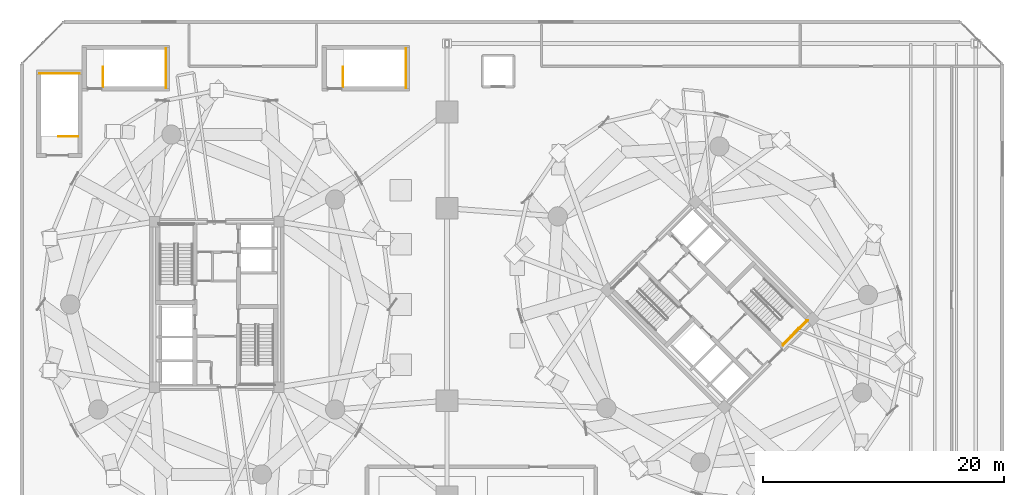
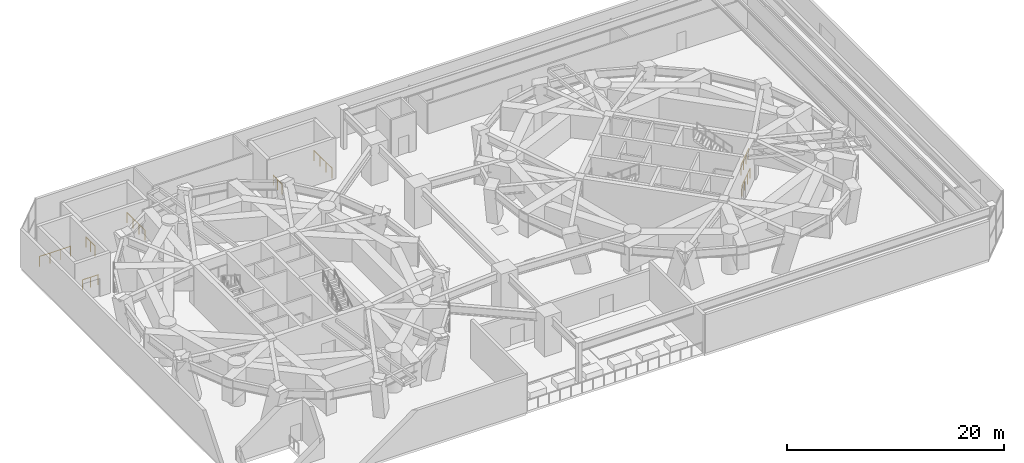
# One storey, part 25 of 25: 8 railings.
"""IFC4 building model written with IfcOpenShell, lengths in metres."""

import ifcopenshell
import ifcopenshell.guid

model = None  # the IFC model being written
_history = None  # IfcOwnerHistory: only IFC2X3 demands one
_inside = {}  # id of a spatial element -> (the spatial element, [elements in it])
_under = {}  # id of a project, library or spatial element -> (it, [spatial elements below it])
_declared = {}  # id of a project -> (the project, [libraries it declares])
_typed = {}  # id of a type object -> (the type object, [elements of that type])
_made_of = {}  # id of a material, layer set ... -> (it, [elements and type objects made of it])


def new_model(schema):
    """Start an empty IFC model of exactly this schema.

    Asked for "IFC4X3", IfcOpenShell would pick the latest addendum, in which some entities
    have other attributes; the version numbers below select the first issue.
    IFC2X3 requires an IfcOwnerHistory on every rooted entity: one is made here for all.
    """
    global model, _history
    if schema == "IFC4X3":
        model = ifcopenshell.file(schema_version=(4, 3, 0, 0))
    else:
        model = ifcopenshell.file(schema=schema)
    _inside.clear()
    _under.clear()
    _declared.clear()
    _typed.clear()
    _made_of.clear()
    _history = None
    if model.schema == "IFC2X3":
        org = make("IfcOrganization", Name="unknown")
        user = make(
            "IfcPersonAndOrganization",
            ThePerson=make("IfcPerson", FamilyName="unknown"),
            TheOrganization=org,
        )
        app = make(
            "IfcApplication",
            ApplicationDeveloper=org,
            Version="unknown",
            ApplicationFullName="unknown",
            ApplicationIdentifier="unknown",
        )
        _history = make(
            "IfcOwnerHistory",
            OwningUser=user,
            OwningApplication=app,
            ChangeAction="ADDED",
            CreationDate=0,
        )
    return model


def make(cls, **values):
    """One entity of the class cls with the attributes given. An attribute that is None is left unset."""
    return model.create_entity(
        cls, **{name: value for name, value in values.items() if value is not None}
    )


def rooted(cls, **values):
    """An entity with a GlobalId (a new one), such as an element, a storey or a relation."""
    return make(cls, GlobalId=ifcopenshell.guid.new(), OwnerHistory=_history, **values)


def si_unit(unit_type, name, prefix=None):
    """IfcSIUnit, for example si_unit("LENGTHUNIT", "METRE", prefix="MILLI")."""
    return make("IfcSIUnit", UnitType=unit_type, Prefix=prefix, Name=name)


def assignment(units):
    """IfcUnitAssignment: the units of a project."""
    return None if units is None else make("IfcUnitAssignment", Units=units)


def point(xyz):
    """IfcCartesianPoint."""
    return None if xyz is None else make("IfcCartesianPoint", Coordinates=xyz)


def direction(xyz):
    """IfcDirection."""
    return None if xyz is None else make("IfcDirection", DirectionRatios=xyz)


def frame(location, z_axis=None, x_axis=None):
    """IfcAxis2Placement3D, a coordinate frame: its origin and axes. An axis left out is left unset."""
    return make(
        "IfcAxis2Placement3D",
        Location=point(location),
        Axis=direction(z_axis),
        RefDirection=direction(x_axis),
    )


def frame_2d(location, x_axis=None):
    """IfcAxis2Placement2D, a coordinate frame in the plane: its origin and x axis."""
    return make(
        "IfcAxis2Placement2D", Location=point(location), RefDirection=direction(x_axis)
    )


def origin():
    """The frame at (0, 0, 0) with its axes left unset."""
    return frame((0.0, 0.0, 0.0))


def origin_2d():
    """The frame at (0, 0) in the plane with its x axis left unset."""
    return frame_2d((0.0, 0.0))


def place(relative_to, where):
    """IfcLocalPlacement: puts the frame where relative to a parent placement (None: the world)."""
    return make(
        "IfcLocalPlacement", PlacementRelTo=relative_to, RelativePlacement=where
    )


def context(
    kind, dimensions, precision=None, world=None, true_north=None, identifier=None
):
    """IfcGeometricRepresentationContext, for example the 3D "Model" context."""
    return make(
        "IfcGeometricRepresentationContext",
        ContextIdentifier=identifier,
        ContextType=kind,
        CoordinateSpaceDimension=dimensions,
        Precision=precision,
        WorldCoordinateSystem=world,
        TrueNorth=true_north,
    )


def subcontext(parent, identifier, kind, view, scale=None):
    """IfcGeometricRepresentationSubContext, for example "Body" below "Model"."""
    return make(
        "IfcGeometricRepresentationSubContext",
        ContextIdentifier=identifier,
        ContextType=kind,
        ParentContext=parent,
        TargetScale=scale,
        TargetView=view,
    )


def project(units=None, contexts=None):
    """IfcProject with its units and contexts."""
    return rooted(
        "IfcProject",
        Name="project",
        RepresentationContexts=contexts,
        UnitsInContext=assignment(units),
    )


def spatial(cls, under=None, at=None, **own):
    """A site, building, storey or space (cls), placed at a placement, below another one or the project."""
    s = rooted(cls, ObjectPlacement=at, **own)
    if under is not None:
        _under.setdefault(under.id(), (under, []))[1].append(s)
    return s


def profile(cls, at=None, kind="AREA", **sizes):
    """A parametric profile (cls). Its sizes go by their IFC names, for example OverallWidth=200.0."""
    return make(cls, ProfileType=kind, Position=at, **sizes)


def circle(**sizes):
    """IfcCircleProfileDef."""
    return profile("IfcCircleProfileDef", **sizes)


def extrude(swept, where, along, depth):
    """IfcExtrudedAreaSolid: the profile swept, set in the frame where, extruded along a direction by depth."""
    return make(
        "IfcExtrudedAreaSolid",
        SweptArea=swept,
        Position=where,
        ExtrudedDirection=direction(along),
        Depth=depth,
    )


def shape(context_of_items, identifier, shape_type, items):
    """IfcShapeRepresentation: the items that make up one representation, for example the "Body"."""
    return make(
        "IfcShapeRepresentation",
        ContextOfItems=context_of_items,
        RepresentationIdentifier=identifier,
        RepresentationType=shape_type,
        Items=items,
    )


def material(Name=None, Category=None):
    """IfcMaterial."""
    return make("IfcMaterial", Name=Name, Category=Category)


def made_of(thing, what):
    """Note that an element or type object is made of a material, layer set ...; save() writes the relation."""
    if what is not None:
        _made_of.setdefault(what.id(), (what, []))[1].append(thing)
    return thing


def type_object(cls, material=None, **own):
    """A type object (cls), such as IfcWallType, which elements share."""
    return made_of(rooted(cls, **own), material)


def element(
    cls,
    number,
    at=None,
    inside=None,
    cuts=None,
    type_object=None,
    material=None,
    context=None,
    identifier="Body",
    shape_type=None,
    held_by="IfcProductDefinitionShape",
    body=None,
    shapes=None,
    **own,
):
    """One element of the class cls, such as IfcWall. Its Tag is "e" and its number.

    at: its placement. inside: the storey or other place that contains it. cuts: it is an
    opening in that element (IfcRelVoidsElement). A single representation is given by context,
    identifier, shape_type and body (its items); several are given by shapes. held_by: the class
    of the entity that holds the representations. save() writes the other relations.
    """
    e = rooted(cls, Tag="e%d" % number, ObjectPlacement=at, **own)
    if body is not None:
        shapes = [shape(context, identifier, shape_type, body)]
    if shapes is not None:
        e.Representation = make(held_by, Representations=shapes)
    if inside is not None:
        _inside.setdefault(inside.id(), (inside, []))[1].append(e)
    if cuts is not None:
        rooted(
            "IfcRelVoidsElement", RelatingBuildingElement=cuts, RelatedOpeningElement=e
        )
    if type_object is not None:
        _typed.setdefault(type_object.id(), (type_object, []))[1].append(e)
    return made_of(e, material)


def aggregate(whole, parts):
    """IfcRelAggregates: a whole, such as a stair, and the parts it consists of."""
    return rooted("IfcRelAggregates", RelatingObject=whole, RelatedObjects=parts)


def save(model, path):
    """Write the relations noted so far, then the file.

    IfcRelAggregates (storeys below a building ...), IfcRelContainedInSpatialStructure (elements
    in a storey), IfcRelDefinesByType, IfcRelAssociatesMaterial and IfcRelDeclares: one each for
    every whole, place, type object, material and project.
    """
    for whole, parts in _under.values():
        aggregate(whole, parts)
    for where, things in _inside.values():
        rooted(
            "IfcRelContainedInSpatialStructure",
            RelatedElements=things,
            RelatingStructure=where,
        )
    for kind, things in _typed.values():
        rooted("IfcRelDefinesByType", RelatedObjects=things, RelatingType=kind)
    for what, things in _made_of.values():
        rooted("IfcRelAssociatesMaterial", RelatedObjects=things, RelatingMaterial=what)
    for by, libraries in _declared.values():
        rooted("IfcRelDeclares", RelatingContext=by, RelatedDefinitions=libraries)
    model.write(path)


model = new_model("IFC4")

# Units and contexts
model_context = context("Model", 3, precision=1e-05, world=origin(), true_north=direction((0.0, 1.0)))
body_context = subcontext(model_context, "Body", "Model", "MODEL_VIEW")
ifc_project = project(units=[si_unit("LENGTHUNIT", "METRE"), si_unit("AREAUNIT", "SQUARE_METRE"), si_unit("VOLUMEUNIT", "CUBIC_METRE"), si_unit("PLANEANGLEUNIT", "RADIAN"), si_unit("MASSUNIT", "GRAM", prefix="KILO")], contexts=[model_context])

# Site, building, storey
site_placement = place(None, origin())
site = spatial("IfcSite", under=ifc_project, at=site_placement, CompositionType="ELEMENT")
building_placement = place(site_placement, origin())
building = spatial("IfcBuilding", under=site, at=building_placement, Name="Cununo Teusaquillo Station Towers", CompositionType="ELEMENT")
storey_placement = place(building_placement, frame((0.0, 0.0, 17.39990234375)))
storey = spatial("IfcBuildingStorey", under=building, at=storey_placement, Name="L04", CompositionType="ELEMENT", Elevation=17.39990234375)

# Railings
ifc_material = material(Name="Steel EN 10025-2 S355J2", Category="steel")
railing_type = type_object("IfcRailingType", Name="RL-INT-GUARD", PredefinedType="GUARDRAIL", material=ifc_material)
railing_1_placement = place(storey_placement, frame((63.573974609375, 21.22607421875, 2.300048828125)))
element("IfcRailing", 1, at=railing_1_placement, inside=storey, type_object=railing_type, Name="L04 ST-T2-2 stair guard 3", PredefinedType="GUARDRAIL", context=body_context, shape_type="SweptSolid", body=[
    extrude(circle(Radius=0.02392578125, at=origin_2d()), frame((0.0, 0.0, 1.1259765625), z_axis=(0.707106781187, 0.707106781187, 0.0), x_axis=(-0.707106781187, 0.707106781187, 0.0)), (0.0, 0.0, 1.0), 2.760009765625),
    extrude(circle(Radius=0.02099609375, at=origin_2d()), origin(), (0.0, 0.0, 1.0), 1.101806640625),
    extrude(circle(Radius=0.02099609375, at=origin_2d()), frame((0.650634765625, 0.650634765625, 0.0)), (0.0, 0.0, 1.0), 1.101806640625),
    extrude(circle(Radius=0.02099609375, at=origin_2d()), frame((1.301025390625, 1.301025390625, 0.0)), (0.0, 0.0, 1.0), 1.101806640625),
    extrude(circle(Radius=0.02099609375, at=origin_2d()), frame((1.95166015625, 1.95166015625, 0.0)), (0.0, 0.0, 1.0), 1.101806640625),
])
railing_2_placement = place(storey_placement, frame((63.573974609375, 21.084716796875, 0.0)))
element("IfcRailing", 2, at=railing_2_placement, inside=storey, type_object=railing_type, Name="L04 ST-T2-2 stair guard 6", PredefinedType="GUARDRAIL", context=body_context, shape_type="SweptSolid", body=[
    extrude(circle(Radius=0.02392578125, at=origin_2d()), frame((0.0, 0.0, 1.1259765625), z_axis=(0.707106781187, 0.707106781187, 0.0), x_axis=(-0.707106781187, 0.707106781187, 0.0)), (0.0, 0.0, 1.0), 2.9599609375),
    extrude(circle(Radius=0.02099609375, at=origin_2d()), origin(), (0.0, 0.0, 1.0), 1.101806640625),
    extrude(circle(Radius=0.02099609375, at=origin_2d()), frame((0.69775390625, 0.69775390625, 0.0)), (0.0, 0.0, 1.0), 1.101806640625),
    extrude(circle(Radius=0.02099609375, at=origin_2d()), frame((1.395263671875, 1.395263671875, 0.0)), (0.0, 0.0, 1.0), 1.101806640625),
    extrude(circle(Radius=0.02099609375, at=origin_2d()), frame((2.093017578125, 2.093017578125, 0.0)), (0.0, 0.0, 1.0), 1.101806640625),
])
railing_3_placement = place(storey_placement, frame((27.0, 42.60009765625, 0.0)))
element("IfcRailing", 3, at=railing_3_placement, inside=storey, type_object=railing_type, Name="L04 ST-POD-N top well guard 1", PredefinedType="GUARDRAIL", context=body_context, shape_type="SweptSolid", body=[
    extrude(circle(Radius=0.02392578125, at=origin_2d()), frame((0.0, 0.0, 1.1259765625), z_axis=(0.0, 1.0, 0.0), x_axis=(-1.0, 0.0, 0.0)), (0.0, 0.0, 1.0), 1.64990234375),
    extrude(circle(Radius=0.02099609375, at=origin_2d()), origin(), (0.0, 0.0, 1.0), 1.101806640625),
    extrude(circle(Radius=0.02099609375, at=origin_2d()), frame((0.0, 0.824951171875, 0.0)), (0.0, 0.0, 1.0), 1.101806640625),
    extrude(circle(Radius=0.02099609375, at=origin_2d()), frame((0.0, 1.64990234375, 0.0)), (0.0, 0.0, 1.0), 1.101806640625),
])
railing_4_placement = place(storey_placement, frame((32.25, 42.5, 0.0)))
element("IfcRailing", 4, at=railing_4_placement, inside=storey, type_object=railing_type, Name="L04 ST-POD-N top well guard 2", PredefinedType="GUARDRAIL", context=body_context, shape_type="SweptSolid", body=[
    extrude(circle(Radius=0.02392578125, at=origin_2d()), frame((0.0, 0.0, 1.1259765625), z_axis=(0.0, 1.0, 0.0), x_axis=(-1.0, 0.0, 0.0)), (0.0, 0.0, 1.0), 3.300048828125),
    extrude(circle(Radius=0.02099609375, at=origin_2d()), origin(), (0.0, 0.0, 1.0), 1.101806640625),
    extrude(circle(Radius=0.02099609375, at=origin_2d()), frame((0.0, 1.10009765625, 0.0)), (0.0, 0.0, 1.0), 1.101806640625),
    extrude(circle(Radius=0.02099609375, at=origin_2d()), frame((0.0, 2.199951171875, 0.0)), (0.0, 0.0, 1.0), 1.101806640625),
    extrude(circle(Radius=0.02099609375, at=origin_2d()), frame((0.0, 3.300048828125, 0.0)), (0.0, 0.0, 1.0), 1.101806640625),
])
railing_5_placement = place(storey_placement, frame((4.97998046875, 38.449951171875, 0.0)))
element("IfcRailing", 5, at=railing_5_placement, inside=storey, type_object=railing_type, Name="L04 ST-POD-W top well guard 1", PredefinedType="GUARDRAIL", context=body_context, shape_type="SweptSolid", body=[
    extrude(circle(Radius=0.02392578125, at=origin_2d()), frame((0.0, 0.0, 1.1259765625), z_axis=(-1.0, 0.0, 0.0), x_axis=(0.0, -1.0, 0.0)), (0.0, 0.0, 1.0), 1.64990234375),
    extrude(circle(Radius=0.02099609375, at=origin_2d()), origin(), (0.0, 0.0, 1.0), 1.101806640625),
    extrude(circle(Radius=0.02099609375, at=origin_2d()), frame((-0.824951171875, 0.0, 0.0)), (0.0, 0.0, 1.0), 1.101806640625),
    extrude(circle(Radius=0.02099609375, at=origin_2d()), frame((-1.64990234375, 0.0, 0.0)), (0.0, 0.0, 1.0), 1.101806640625),
])
railing_6_placement = place(storey_placement, frame((5.080078125, 43.699951171875, 0.0)))
element("IfcRailing", 6, at=railing_6_placement, inside=storey, type_object=railing_type, Name="L04 ST-POD-W top well guard 2", PredefinedType="GUARDRAIL", context=body_context, shape_type="SweptSolid", body=[
    extrude(circle(Radius=0.02392578125, at=origin_2d()), frame((0.0, 0.0, 1.1259765625), z_axis=(-1.0, 0.0, 0.0), x_axis=(0.0, -1.0, 0.0)), (0.0, 0.0, 1.0), 3.300048828125),
    extrude(circle(Radius=0.02099609375, at=origin_2d()), origin(), (0.0, 0.0, 1.0), 1.101806640625),
    extrude(circle(Radius=0.02099609375, at=origin_2d()), frame((-1.10009765625, 0.0, 0.0)), (0.0, 0.0, 1.0), 1.101806640625),
    extrude(circle(Radius=0.02099609375, at=origin_2d()), frame((-2.199951171875, 0.0, 0.0)), (0.0, 0.0, 1.0), 1.101806640625),
    extrude(circle(Radius=0.02099609375, at=origin_2d()), frame((-3.300048828125, 0.0, 0.0)), (0.0, 0.0, 1.0), 1.101806640625),
])
railing_7_placement = place(storey_placement, frame((7.050048828125, 42.60009765625, 0.0)))
element("IfcRailing", 7, at=railing_7_placement, inside=storey, type_object=railing_type, Name="L04 ST-POD-C top well guard 1", PredefinedType="GUARDRAIL", context=body_context, shape_type="SweptSolid", body=[
    extrude(circle(Radius=0.02392578125, at=origin_2d()), frame((0.0, 0.0, 1.1259765625), z_axis=(0.0, 1.0, 0.0), x_axis=(-1.0, 0.0, 0.0)), (0.0, 0.0, 1.0), 1.64990234375),
    extrude(circle(Radius=0.02099609375, at=origin_2d()), origin(), (0.0, 0.0, 1.0), 1.101806640625),
    extrude(circle(Radius=0.02099609375, at=origin_2d()), frame((0.0, 0.824951171875, 0.0)), (0.0, 0.0, 1.0), 1.101806640625),
    extrude(circle(Radius=0.02099609375, at=origin_2d()), frame((0.0, 1.64990234375, 0.0)), (0.0, 0.0, 1.0), 1.101806640625),
])
railing_8_placement = place(storey_placement, frame((12.300048828125, 42.5, 0.0)))
element("IfcRailing", 8, at=railing_8_placement, inside=storey, type_object=railing_type, Name="L04 ST-POD-C top well guard 2", PredefinedType="GUARDRAIL", context=body_context, shape_type="SweptSolid", body=[
    extrude(circle(Radius=0.02392578125, at=origin_2d()), frame((0.0, 0.0, 1.1259765625), z_axis=(0.0, 1.0, 0.0), x_axis=(-1.0, 0.0, 0.0)), (0.0, 0.0, 1.0), 3.300048828125),
    extrude(circle(Radius=0.02099609375, at=origin_2d()), origin(), (0.0, 0.0, 1.0), 1.101806640625),
    extrude(circle(Radius=0.02099609375, at=origin_2d()), frame((0.0, 1.10009765625, 0.0)), (0.0, 0.0, 1.0), 1.101806640625),
    extrude(circle(Radius=0.02099609375, at=origin_2d()), frame((0.0, 2.199951171875, 0.0)), (0.0, 0.0, 1.0), 1.101806640625),
    extrude(circle(Radius=0.02099609375, at=origin_2d()), frame((0.0, 3.300048828125, 0.0)), (0.0, 0.0, 1.0), 1.101806640625),
])

save(model, "model.ifc")
